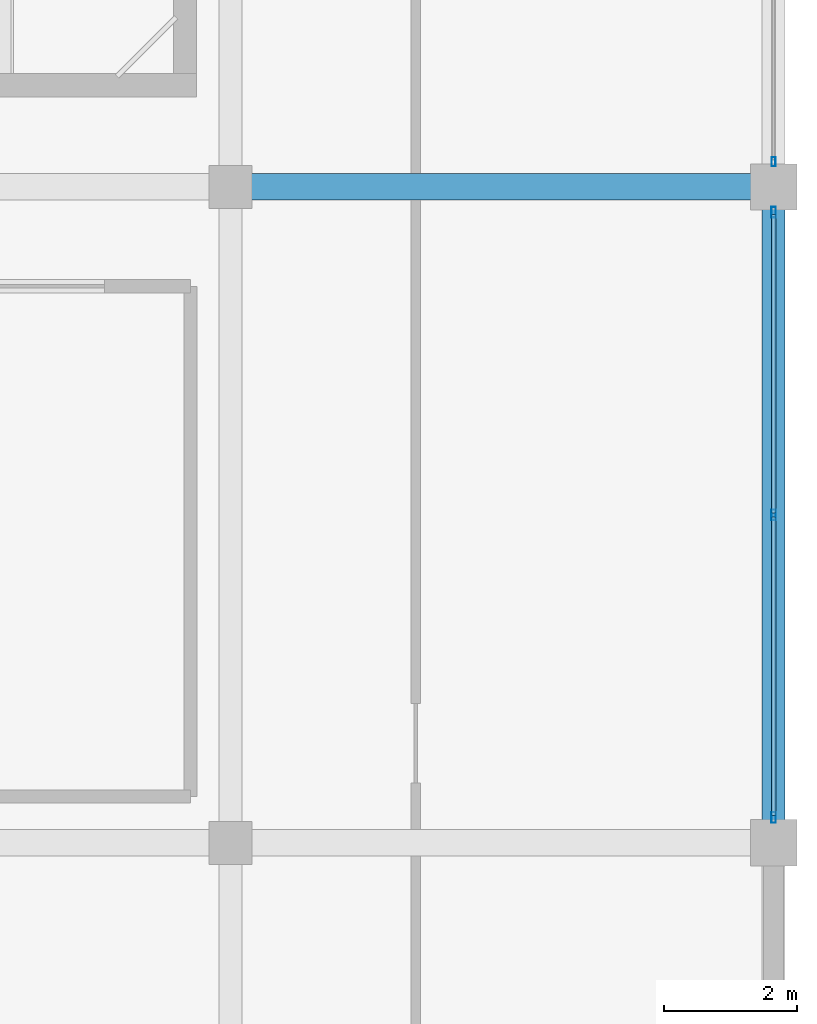
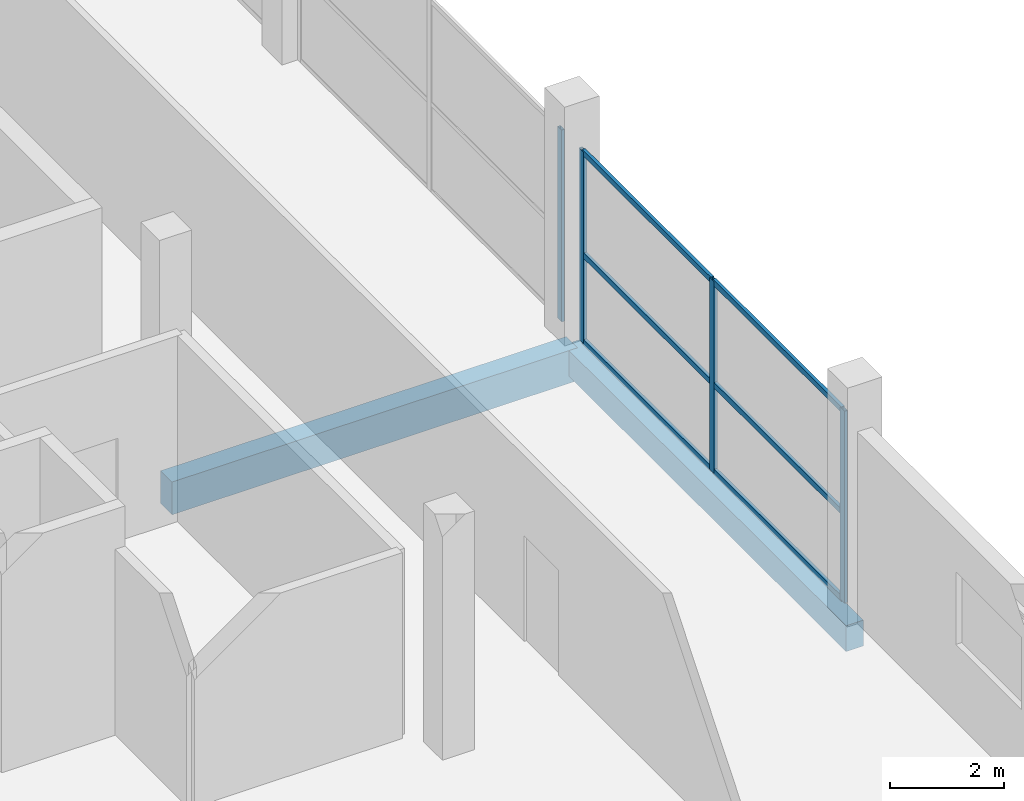
# One storey, part 18 of 67: 10 members, 2 beams, 2 elements without a shape of their own.
"""IFC4 building model written with IfcOpenShell, lengths in metres."""

import ifcopenshell
import ifcopenshell.guid

model = None  # the IFC model being written
_history = None  # IfcOwnerHistory: only IFC2X3 demands one
_inside = {}  # id of a spatial element -> (the spatial element, [elements in it])
_under = {}  # id of a project, library or spatial element -> (it, [spatial elements below it])
_declared = {}  # id of a project -> (the project, [libraries it declares])
_typed = {}  # id of a type object -> (the type object, [elements of that type])
_made_of = {}  # id of a material, layer set ... -> (it, [elements and type objects made of it])


def new_model(schema):
    """Start an empty IFC model of exactly this schema.

    Asked for "IFC4X3", IfcOpenShell would pick the latest addendum, in which some entities
    have other attributes; the version numbers below select the first issue.
    IFC2X3 requires an IfcOwnerHistory on every rooted entity: one is made here for all.
    """
    global model, _history
    if schema == "IFC4X3":
        model = ifcopenshell.file(schema_version=(4, 3, 0, 0))
    else:
        model = ifcopenshell.file(schema=schema)
    _inside.clear()
    _under.clear()
    _declared.clear()
    _typed.clear()
    _made_of.clear()
    _history = None
    if model.schema == "IFC2X3":
        org = make("IfcOrganization", Name="unknown")
        user = make(
            "IfcPersonAndOrganization",
            ThePerson=make("IfcPerson", FamilyName="unknown"),
            TheOrganization=org,
        )
        app = make(
            "IfcApplication",
            ApplicationDeveloper=org,
            Version="unknown",
            ApplicationFullName="unknown",
            ApplicationIdentifier="unknown",
        )
        _history = make(
            "IfcOwnerHistory",
            OwningUser=user,
            OwningApplication=app,
            ChangeAction="ADDED",
            CreationDate=0,
        )
    return model


def make(cls, **values):
    """One entity of the class cls with the attributes given. An attribute that is None is left unset."""
    return model.create_entity(
        cls, **{name: value for name, value in values.items() if value is not None}
    )


def rooted(cls, **values):
    """An entity with a GlobalId (a new one), such as an element, a storey or a relation."""
    return make(cls, GlobalId=ifcopenshell.guid.new(), OwnerHistory=_history, **values)


def si_unit(unit_type, name, prefix=None):
    """IfcSIUnit, for example si_unit("LENGTHUNIT", "METRE", prefix="MILLI")."""
    return make("IfcSIUnit", UnitType=unit_type, Prefix=prefix, Name=name)


def assignment(units):
    """IfcUnitAssignment: the units of a project."""
    return None if units is None else make("IfcUnitAssignment", Units=units)


def point(xyz):
    """IfcCartesianPoint."""
    return None if xyz is None else make("IfcCartesianPoint", Coordinates=xyz)


def direction(xyz):
    """IfcDirection."""
    return None if xyz is None else make("IfcDirection", DirectionRatios=xyz)


def frame(location, z_axis=None, x_axis=None):
    """IfcAxis2Placement3D, a coordinate frame: its origin and axes. An axis left out is left unset."""
    return make(
        "IfcAxis2Placement3D",
        Location=point(location),
        Axis=direction(z_axis),
        RefDirection=direction(x_axis),
    )


def frame_2d(location, x_axis=None):
    """IfcAxis2Placement2D, a coordinate frame in the plane: its origin and x axis."""
    return make(
        "IfcAxis2Placement2D", Location=point(location), RefDirection=direction(x_axis)
    )


def origin():
    """The frame at (0, 0, 0) with its axes left unset."""
    return frame((0.0, 0.0, 0.0))


def origin_2d():
    """The frame at (0, 0) in the plane with its x axis left unset."""
    return frame_2d((0.0, 0.0))


def place(relative_to, where):
    """IfcLocalPlacement: puts the frame where relative to a parent placement (None: the world)."""
    return make(
        "IfcLocalPlacement", PlacementRelTo=relative_to, RelativePlacement=where
    )


def context(
    kind, dimensions, precision=None, world=None, true_north=None, identifier=None
):
    """IfcGeometricRepresentationContext, for example the 3D "Model" context."""
    return make(
        "IfcGeometricRepresentationContext",
        ContextIdentifier=identifier,
        ContextType=kind,
        CoordinateSpaceDimension=dimensions,
        Precision=precision,
        WorldCoordinateSystem=world,
        TrueNorth=true_north,
    )


def subcontext(parent, identifier, kind, view, scale=None):
    """IfcGeometricRepresentationSubContext, for example "Body" below "Model"."""
    return make(
        "IfcGeometricRepresentationSubContext",
        ContextIdentifier=identifier,
        ContextType=kind,
        ParentContext=parent,
        TargetScale=scale,
        TargetView=view,
    )


def project(units=None, contexts=None):
    """IfcProject with its units and contexts."""
    return rooted(
        "IfcProject",
        Name="project",
        RepresentationContexts=contexts,
        UnitsInContext=assignment(units),
    )


def spatial(cls, under=None, at=None, **own):
    """A site, building, storey or space (cls), placed at a placement, below another one or the project."""
    s = rooted(cls, ObjectPlacement=at, **own)
    if under is not None:
        _under.setdefault(under.id(), (under, []))[1].append(s)
    return s


def profile(cls, at=None, kind="AREA", **sizes):
    """A parametric profile (cls). Its sizes go by their IFC names, for example OverallWidth=200.0."""
    return make(cls, ProfileType=kind, Position=at, **sizes)


def rectangle(**sizes):
    """IfcRectangleProfileDef."""
    return profile("IfcRectangleProfileDef", **sizes)


def hollow_rectangle(**sizes):
    """IfcRectangleHollowProfileDef."""
    return profile("IfcRectangleHollowProfileDef", **sizes)


def extrude(swept, where, along, depth):
    """IfcExtrudedAreaSolid: the profile swept, set in the frame where, extruded along a direction by depth."""
    return make(
        "IfcExtrudedAreaSolid",
        SweptArea=swept,
        Position=where,
        ExtrudedDirection=direction(along),
        Depth=depth,
    )


def shape(context_of_items, identifier, shape_type, items):
    """IfcShapeRepresentation: the items that make up one representation, for example the "Body"."""
    return make(
        "IfcShapeRepresentation",
        ContextOfItems=context_of_items,
        RepresentationIdentifier=identifier,
        RepresentationType=shape_type,
        Items=items,
    )


def material(Name=None, Category=None):
    """IfcMaterial."""
    return make("IfcMaterial", Name=Name, Category=Category)


def layer(
    of_material, thickness, ventilated=None, Name=None, Category=None, Priority=None
):
    """IfcMaterialLayer: one layer of a wall or slab, of a material (None: an air gap)."""
    return make(
        "IfcMaterialLayer",
        Material=of_material,
        LayerThickness=thickness,
        IsVentilated=ventilated,
        Name=Name,
        Category=Category,
        Priority=Priority,
    )


def layer_set(layers, Name=None):
    """IfcMaterialLayerSet."""
    return make("IfcMaterialLayerSet", MaterialLayers=layers, LayerSetName=Name)


def material_profile(
    of_material, cross_section, Name=None, Category=None, Priority=None
):
    """IfcMaterialProfile: a cross section and its material."""
    return make(
        "IfcMaterialProfile",
        Name=Name,
        Material=of_material,
        Profile=cross_section,
        Priority=Priority,
        Category=Category,
    )


def profile_set(profiles, Name=None, composite=None):
    """IfcMaterialProfileSet."""
    return make(
        "IfcMaterialProfileSet",
        Name=Name,
        MaterialProfiles=profiles,
        CompositeProfile=composite,
    )


def made_of(thing, what):
    """Note that an element or type object is made of a material, layer set ...; save() writes the relation."""
    if what is not None:
        _made_of.setdefault(what.id(), (what, []))[1].append(thing)
    return thing


def type_object(cls, material=None, **own):
    """A type object (cls), such as IfcWallType, which elements share."""
    return made_of(rooted(cls, **own), material)


def element(
    cls,
    number,
    at=None,
    inside=None,
    cuts=None,
    type_object=None,
    material=None,
    context=None,
    identifier="Body",
    shape_type=None,
    held_by="IfcProductDefinitionShape",
    body=None,
    shapes=None,
    **own,
):
    """One element of the class cls, such as IfcWall. Its Tag is "e" and its number.

    at: its placement. inside: the storey or other place that contains it. cuts: it is an
    opening in that element (IfcRelVoidsElement). A single representation is given by context,
    identifier, shape_type and body (its items); several are given by shapes. held_by: the class
    of the entity that holds the representations. save() writes the other relations.
    """
    e = rooted(cls, Tag="e%d" % number, ObjectPlacement=at, **own)
    if body is not None:
        shapes = [shape(context, identifier, shape_type, body)]
    if shapes is not None:
        e.Representation = make(held_by, Representations=shapes)
    if inside is not None:
        _inside.setdefault(inside.id(), (inside, []))[1].append(e)
    if cuts is not None:
        rooted(
            "IfcRelVoidsElement", RelatingBuildingElement=cuts, RelatedOpeningElement=e
        )
    if type_object is not None:
        _typed.setdefault(type_object.id(), (type_object, []))[1].append(e)
    return made_of(e, material)


def aggregate(whole, parts):
    """IfcRelAggregates: a whole, such as a stair, and the parts it consists of."""
    return rooted("IfcRelAggregates", RelatingObject=whole, RelatedObjects=parts)


def save(model, path):
    """Write the relations noted so far, then the file.

    IfcRelAggregates (storeys below a building ...), IfcRelContainedInSpatialStructure (elements
    in a storey), IfcRelDefinesByType, IfcRelAssociatesMaterial and IfcRelDeclares: one each for
    every whole, place, type object, material and project.
    """
    for whole, parts in _under.values():
        aggregate(whole, parts)
    for where, things in _inside.values():
        rooted(
            "IfcRelContainedInSpatialStructure",
            RelatedElements=things,
            RelatingStructure=where,
        )
    for kind, things in _typed.values():
        rooted("IfcRelDefinesByType", RelatedObjects=things, RelatingType=kind)
    for what, things in _made_of.values():
        rooted("IfcRelAssociatesMaterial", RelatedObjects=things, RelatingMaterial=what)
    for by, libraries in _declared.values():
        rooted("IfcRelDeclares", RelatingContext=by, RelatedDefinitions=libraries)
    model.write(path)


model = new_model("IFC4")

# Units and contexts
model_context = context("Model", 3, precision=1e-05, world=origin(), true_north=direction((0.0, 1.0)))
body_context = subcontext(model_context, "Body", "Model", "MODEL_VIEW")
ifc_project = project(units=[si_unit("LENGTHUNIT", "METRE"), si_unit("AREAUNIT", "SQUARE_METRE"), si_unit("VOLUMEUNIT", "CUBIC_METRE"), si_unit("PLANEANGLEUNIT", "RADIAN"), si_unit("MASSUNIT", "GRAM", prefix="KILO")], contexts=[model_context])

# Site, building, storey
site_placement = place(None, origin())
site = spatial("IfcSite", under=ifc_project, at=site_placement, CompositionType="ELEMENT")
building_placement = place(site_placement, origin())
building = spatial("IfcBuilding", under=site, at=building_placement, Name="Sillaruma Civic Art Gallery", CompositionType="ELEMENT")
storey_placement = place(building_placement, frame((0.0, 0.0, 46.919921875)))
storey = spatial("IfcBuildingStorey", under=building, at=storey_placement, Name="L09", CompositionType="ELEMENT", Elevation=46.919921875)

# Beams
ifc_material_1 = material(Name="Concrete H35 (35 MPa)", Category="concrete")
ifc_material_profile_1 = material_profile(ifc_material_1, rectangle(XDim=0.39990234375, YDim=0.699951171875, at=origin_2d()), Name="RCB400x700")
ifc_profile_set_1 = profile_set([ifc_material_profile_1], Name="Concrete H35 (35 MPa)")
beam_type_1 = type_object("IfcBeamType", Name="BM-BEAM-RCB400x700", PredefinedType="BEAM", material=ifc_profile_set_1)
beam_1_placement = place(storey_placement, frame((106.199951171875, 49.5, -0.599853515625), z_axis=(1.0, 0.0, 0.0), x_axis=(0.0, 1.0, 0.0)))
element("IfcBeam", 1, at=beam_1_placement, inside=storey, type_object=beam_type_1, Name="Beam BM-04 (L08:6:M-N)", PredefinedType="BEAM", context=body_context, shape_type="SweptSolid", body=[
    extrude(rectangle(XDim=0.39990234375, YDim=0.699951171875, at=origin_2d()), origin(), (0.0, 0.0, 1.0), 8.199951171875),
])
ifc_material_profile_2 = material_profile(ifc_material_1, rectangle(XDim=0.35009765625, YDim=0.550048828125, at=origin_2d()), Name="RCB350x550")
ifc_profile_set_2 = profile_set([ifc_material_profile_2], Name="Concrete H35 (35 MPa)")
beam_type_2 = type_object("IfcBeamType", Name="BM-SPANDREL-RCB350x550", PredefinedType="SPANDREL", material=ifc_profile_set_2)
beam_2_placement = place(storey_placement, frame((114.39990234375, 39.60009765625, -0.52490234375), z_axis=(0.0, 1.0, 0.0), x_axis=(-1.0, 0.0, 0.0)))
element("IfcBeam", 2, at=beam_2_placement, inside=storey, type_object=beam_type_2, Name="Beam BS-04 (L08:N:5-6)", PredefinedType="SPANDREL", context=body_context, shape_type="SweptSolid", body=[
    extrude(rectangle(XDim=0.35009765625, YDim=0.550048828125, at=origin_2d()), origin(), (0.0, 0.0, 1.0), 9.89990234375),
])

# Curtain wall, member
ifc_material_2 = material(Name="Thermally Broken Extruded Aluminium 6063-T6", Category="aluminium")
ifc_layer_1 = layer(ifc_material_2, 0.139892578125, Name="Thermally Broken Extruded Aluminium 6063-T6")
ifc_layer_set_1 = layer_set([ifc_layer_1], Name="Thermally Broken Extruded Aluminium 6063-T6")
curtain_wall_type_1 = type_object("IfcCurtainWallType", Name="CW-UNI-71", PredefinedType="NOTDEFINED", material=ifc_layer_set_1)
curtain_wall_1_placement = place(storey_placement, origin())
curtain_wall_1 = element("IfcCurtainWall", 3, at=curtain_wall_1_placement, inside=storey, type_object=curtain_wall_type_1, Name="Unitised Curtain Wall CW-71 (CW-L09-EBE-4)", PredefinedType="NOTDEFINED")
ifc_material_profile_3 = material_profile(ifc_material_2, hollow_rectangle(XDim=0.06005859375, YDim=0.139892578125, WallThickness=0.00341796875, at=origin_2d()), Name="CWM60x140")
ifc_profile_set_3 = profile_set([ifc_material_profile_3], Name="Thermally Broken Extruded Aluminium 6063-T6")
member_type_1 = type_object("IfcMemberType", Name="MEM-MUL-CWM60x140", PredefinedType="MULLION", material=ifc_profile_set_3)
member_1_placement = place(storey_placement, frame((114.39990234375, 49.8798828125, 0.0), z_axis=(0.0, 0.0, 1.0), x_axis=(-1.0, 0.0, 0.0)))
member_1 = element("IfcMember", 4, at=member_1_placement, type_object=member_type_1, Name="CW-71 mullion 1", PredefinedType="MULLION", context=body_context, shape_type="SweptSolid", body=[
    extrude(hollow_rectangle(XDim=0.06005859375, YDim=0.139892578125, WallThickness=0.00341796875, at=origin_2d()), origin(), (0.0, 0.0, 1.0), 4.10009765625),
])
aggregate(curtain_wall_1, [member_1])

# Curtain wall, members
ifc_layer_2 = layer(ifc_material_2, 0.159912109375, Name="Thermally Broken Extruded Aluminium 6063-T6")
ifc_layer_set_2 = layer_set([ifc_layer_2], Name="Thermally Broken Extruded Aluminium 6063-T6")
curtain_wall_type_2 = type_object("IfcCurtainWallType", Name="CW-UNI-69", PredefinedType="NOTDEFINED", material=ifc_layer_set_2)
curtain_wall_2_placement = place(storey_placement, origin())
curtain_wall_2 = element("IfcCurtainWall", 5, at=curtain_wall_2_placement, inside=storey, type_object=curtain_wall_type_2, Name="Unitised Curtain Wall CW-69 (CW-L09-EBE-3)", PredefinedType="NOTDEFINED")
ifc_material_profile_4 = material_profile(ifc_material_2, hollow_rectangle(XDim=0.06494140625, YDim=0.159912109375, WallThickness=0.00390625, at=origin_2d()), Name="CWM65x160")
ifc_profile_set_4 = profile_set([ifc_material_profile_4], Name="Thermally Broken Extruded Aluminium 6063-T6")
member_type_2 = type_object("IfcMemberType", Name="MEM-MUL-CWM65x160", PredefinedType="MULLION", material=ifc_profile_set_4)
member_2_placement = place(storey_placement, frame((114.39990234375, 39.982421875, 0.0), z_axis=(0.0, 0.0, 1.0), x_axis=(-1.0, 0.0, 0.0)))
member_2 = element("IfcMember", 6, at=member_2_placement, type_object=member_type_2, Name="CW-69 mullion 1", PredefinedType="MULLION", context=body_context, shape_type="SweptSolid", body=[
    extrude(hollow_rectangle(XDim=0.06494140625, YDim=0.159912109375, WallThickness=0.00390625, at=origin_2d()), origin(), (0.0, 0.0, 1.0), 4.10009765625),
])
member_3_placement = place(storey_placement, frame((114.39990234375, 44.550048828125, 0.0), z_axis=(0.0, 0.0, 1.0), x_axis=(-1.0, 0.0, 0.0)))
member_3 = element("IfcMember", 7, at=member_3_placement, type_object=member_type_2, Name="CW-69 mullion 2", PredefinedType="MULLION", context=body_context, shape_type="SweptSolid", body=[
    extrude(hollow_rectangle(XDim=0.06494140625, YDim=0.159912109375, WallThickness=0.00390625, at=origin_2d()), origin(), (0.0, 0.0, 1.0), 4.10009765625),
])
member_4_placement = place(storey_placement, frame((114.39990234375, 49.117431640625, 0.0), z_axis=(0.0, 0.0, 1.0), x_axis=(-1.0, 0.0, 0.0)))
member_4 = element("IfcMember", 8, at=member_4_placement, type_object=member_type_2, Name="CW-69 mullion 3", PredefinedType="MULLION", context=body_context, shape_type="SweptSolid", body=[
    extrude(hollow_rectangle(XDim=0.06494140625, YDim=0.159912109375, WallThickness=0.00390625, at=origin_2d()), origin(), (0.0, 0.0, 1.0), 4.10009765625),
])
ifc_material_profile_5 = material_profile(ifc_material_2, hollow_rectangle(XDim=0.06494140625, YDim=0.1201171875, WallThickness=0.00341796875, at=origin_2d()), Name="CWT65x120")
ifc_profile_set_5 = profile_set([ifc_material_profile_5], Name="Thermally Broken Extruded Aluminium 6063-T6")
member_type_3 = type_object("IfcMemberType", Name="MEM-TRN-CWT65x120", PredefinedType="USERDEFINED", material=ifc_profile_set_5)
member_5_placement = place(storey_placement, frame((114.39990234375, 40.014892578125, 0.032470703125), z_axis=(0.0, 1.0, 0.0), x_axis=(-1.0, 0.0, 0.0)))
member_5 = element("IfcMember", 9, at=member_5_placement, type_object=member_type_3, Name="CW-69 transom 1.1", ObjectType="TRANSOM", PredefinedType="USERDEFINED", context=body_context, shape_type="SweptSolid", body=[
    extrude(hollow_rectangle(XDim=0.06494140625, YDim=0.1201171875, WallThickness=0.00341796875, at=origin_2d()), origin(), (0.0, 0.0, 1.0), 4.502685546875),
])
member_6_placement = place(storey_placement, frame((114.39990234375, 40.014892578125, 1.885986328125), z_axis=(0.0, 1.0, 0.0), x_axis=(-1.0, 0.0, 0.0)))
member_6 = element("IfcMember", 10, at=member_6_placement, type_object=member_type_3, Name="CW-69 transom 1.2", ObjectType="TRANSOM", PredefinedType="USERDEFINED", context=body_context, shape_type="SweptSolid", body=[
    extrude(hollow_rectangle(XDim=0.06494140625, YDim=0.1201171875, WallThickness=0.00341796875, at=origin_2d()), origin(), (0.0, 0.0, 1.0), 4.502685546875),
])
member_7_placement = place(storey_placement, frame((114.39990234375, 40.014892578125, 4.067626953125), z_axis=(0.0, 1.0, 0.0), x_axis=(-1.0, 0.0, 0.0)))
member_7 = element("IfcMember", 11, at=member_7_placement, type_object=member_type_3, Name="CW-69 transom 1.3", ObjectType="TRANSOM", PredefinedType="USERDEFINED", context=body_context, shape_type="SweptSolid", body=[
    extrude(hollow_rectangle(XDim=0.06494140625, YDim=0.1201171875, WallThickness=0.00341796875, at=origin_2d()), origin(), (0.0, 0.0, 1.0), 4.502685546875),
])
member_8_placement = place(storey_placement, frame((114.39990234375, 44.58251953125, 0.032470703125), z_axis=(0.0, 1.0, 0.0), x_axis=(-1.0, 0.0, 0.0)))
member_8 = element("IfcMember", 12, at=member_8_placement, type_object=member_type_3, Name="CW-69 transom 2.1", ObjectType="TRANSOM", PredefinedType="USERDEFINED", context=body_context, shape_type="SweptSolid", body=[
    extrude(hollow_rectangle(XDim=0.06494140625, YDim=0.1201171875, WallThickness=0.00341796875, at=origin_2d()), origin(), (0.0, 0.0, 1.0), 4.50244140625),
])
member_9_placement = place(storey_placement, frame((114.39990234375, 44.58251953125, 1.885986328125), z_axis=(0.0, 1.0, 0.0), x_axis=(-1.0, 0.0, 0.0)))
member_9 = element("IfcMember", 13, at=member_9_placement, type_object=member_type_3, Name="CW-69 transom 2.2", ObjectType="TRANSOM", PredefinedType="USERDEFINED", context=body_context, shape_type="SweptSolid", body=[
    extrude(hollow_rectangle(XDim=0.06494140625, YDim=0.1201171875, WallThickness=0.00341796875, at=origin_2d()), origin(), (0.0, 0.0, 1.0), 4.50244140625),
])
member_10_placement = place(storey_placement, frame((114.39990234375, 44.58251953125, 4.067626953125), z_axis=(0.0, 1.0, 0.0), x_axis=(-1.0, 0.0, 0.0)))
member_10 = element("IfcMember", 14, at=member_10_placement, type_object=member_type_3, Name="CW-69 transom 2.3", ObjectType="TRANSOM", PredefinedType="USERDEFINED", context=body_context, shape_type="SweptSolid", body=[
    extrude(hollow_rectangle(XDim=0.06494140625, YDim=0.1201171875, WallThickness=0.00341796875, at=origin_2d()), origin(), (0.0, 0.0, 1.0), 4.50244140625),
])
aggregate(curtain_wall_2, [member_2, member_3, member_4, member_5, member_6, member_7, member_8, member_9, member_10])

save(model, "model.ifc")
